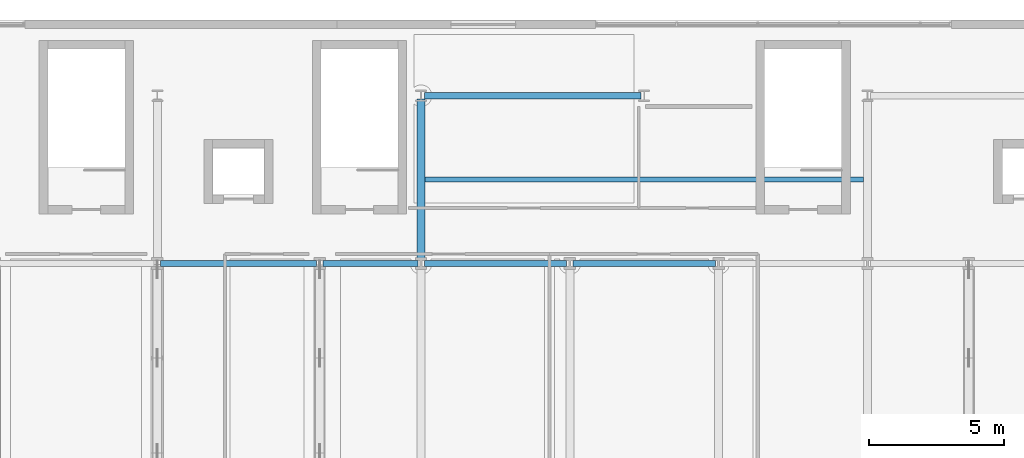
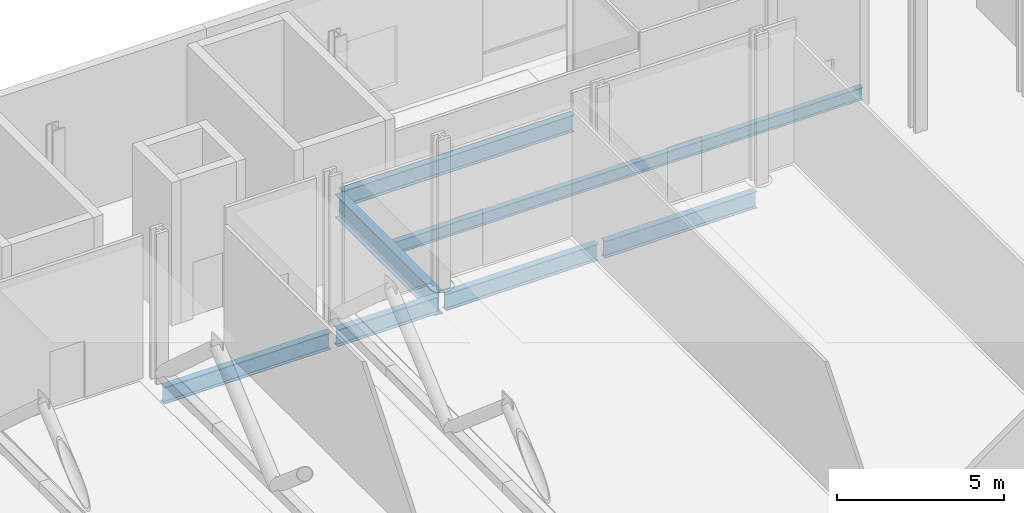
# One storey, part 4 of 17: 7 beams.
"""IFC4 building model written with IfcOpenShell, lengths in metres."""

from ifc_helpers import new_model, si_unit, direction, frame, origin, origin_2d, place, context, subcontext, project, spatial, i_section, extrude, material, material_profile, profile_set, type_object, element, save


model = new_model("IFC4")

# Units and contexts
model_context = context("Model", 3, precision=1e-05, world=origin(), true_north=direction((0.0, 1.0)))
body_context = subcontext(model_context, "Body", "Model", "MODEL_VIEW")
ifc_project = project(units=[si_unit("LENGTHUNIT", "METRE"), si_unit("AREAUNIT", "SQUARE_METRE"), si_unit("VOLUMEUNIT", "CUBIC_METRE"), si_unit("PLANEANGLEUNIT", "RADIAN"), si_unit("MASSUNIT", "GRAM", prefix="KILO")], contexts=[model_context])

# Site, building, storey
site_placement = place(None, origin())
site = spatial("IfcSite", under=ifc_project, at=site_placement, CompositionType="ELEMENT")
building_placement = place(site_placement, origin())
building = spatial("IfcBuilding", under=site, at=building_placement, Name="Brevholm Reach", CompositionType="ELEMENT")
storey_placement = place(building_placement, frame((0.0, 0.0, 22.5)))
storey = spatial("IfcBuildingStorey", under=building, at=storey_placement, Name="L05", CompositionType="ELEMENT", Elevation=22.5)

# Beams
ifc_material_1 = material(Name="Structural Steel S355J2", Category="steel")
ifc_material_profile_1 = material_profile(ifc_material_1, i_section(OverallWidth=0.1904296875, OverallDepth=0.45703125, WebThickness=0.009033203125, FlangeThickness=0.014404296875, FilletRadius=0.01025390625, at=origin_2d()), Name="UKB 457x191x74")
ifc_profile_set_1 = profile_set([ifc_material_profile_1], Name="Structural Steel S355J2")
beam_type_1 = type_object("IfcBeamType", Name="BM-B457", PredefinedType="BEAM", material=ifc_profile_set_1)
beam_1_placement = place(storey_placement, frame((21.89697265625, 34.10009765625, -0.508544921875), z_axis=(1.0, 0.0, 0.0), x_axis=(0.0, 1.0, 0.0)))
element("IfcBeam", 1, at=beam_1_placement, inside=storey, type_object=beam_type_1, Name="L05 Composite Secondary Floor Beam", PredefinedType="BEAM", context=body_context, shape_type="SweptSolid", body=[
    extrude(i_section(OverallWidth=0.1904296875, OverallDepth=0.45703125, WebThickness=0.009033203125, FlangeThickness=0.014404296875, FilletRadius=0.01025390625, at=origin_2d()), origin(), (0.0, 0.0, 1.0), 16.2060546875),
])
ifc_material_2 = material(Name="Structural Steel S355J2", Category="steel")
ifc_material_profile_2 = material_profile(ifc_material_2, i_section(OverallWidth=0.22900390625, OverallDepth=0.6123046875, WebThickness=0.011962890625, FlangeThickness=0.01953125, FilletRadius=0.0126953125, at=origin_2d()), Name="UKB 610x229x125")
ifc_profile_set_2 = profile_set([ifc_material_profile_2], Name="Structural Steel S355J2")
beam_type_2 = type_object("IfcBeamType", Name="BM-SP610", PredefinedType="SPANDREL", material=ifc_profile_set_2)
beam_2_placement = place(storey_placement, frame((12.1201171875, 31.0, -0.586181640625), z_axis=(1.0, 0.0, 0.0), x_axis=(0.0, 1.0, 0.0)))
element("IfcBeam", 2, at=beam_2_placement, inside=storey, type_object=beam_type_2, Name="L05 SP-01 Framing Beam", PredefinedType="SPANDREL", context=body_context, shape_type="SweptSolid", body=[
    extrude(i_section(OverallWidth=0.22900390625, OverallDepth=0.6123046875, WebThickness=0.011962890625, FlangeThickness=0.01953125, FilletRadius=0.0126953125, at=origin_2d()), origin(), (0.0, 0.0, 1.0), 5.759765625),
])
beam_3_placement = place(storey_placement, frame((18.1201171875, 31.0, -0.586181640625), z_axis=(1.0, 0.0, 0.0), x_axis=(0.0, 1.0, 0.0)))
element("IfcBeam", 3, at=beam_3_placement, inside=storey, type_object=beam_type_2, Name="L05 SP-01 Framing Beam", PredefinedType="SPANDREL", context=body_context, shape_type="SweptSolid", body=[
    extrude(i_section(OverallWidth=0.22900390625, OverallDepth=0.6123046875, WebThickness=0.011962890625, FlangeThickness=0.01953125, FilletRadius=0.0126953125, at=origin_2d()), origin(), (0.0, 0.0, 1.0), 3.509765625),
])
for number, where, z_axis, x_axis, name in (
    (4, (21.8701171875, 31.0, -0.586181640625), (1.0, 0.0, 0.0), (0.0, 1.0, 0.0), "L05 SP-01 Framing Beam"),
    (5, (27.3701171875, 31.0, -0.586181640625), (1.0, 0.0, 0.0), (0.0, 1.0, 0.0), "L05 SP-01 Framing Beam"),
):
    element("IfcBeam", number, at=place(storey_placement, frame(where, z_axis=z_axis, x_axis=x_axis)), inside=storey, type_object=beam_type_2, Name=name, PredefinedType="SPANDREL", context=body_context, shape_type="SweptSolid", body=[
        extrude(i_section(OverallWidth=0.22900390625, OverallDepth=0.6123046875, WebThickness=0.011962890625, FlangeThickness=0.01953125, FilletRadius=0.0126953125, at=origin_2d()), origin(), (0.0, 0.0, 1.0), 5.259765625),
    ])
beam_4_placement = place(storey_placement, frame((21.8701171875, 37.199951171875, -0.586181640625), z_axis=(1.0, 0.0, 0.0), x_axis=(0.0, 1.0, 0.0)))
element("IfcBeam", 6, at=beam_4_placement, inside=storey, type_object=beam_type_2, Name="L05 SP-01 Framing Beam", PredefinedType="SPANDREL", context=body_context, shape_type="SweptSolid", body=[
    extrude(i_section(OverallWidth=0.22900390625, OverallDepth=0.6123046875, WebThickness=0.011962890625, FlangeThickness=0.01953125, FilletRadius=0.0126953125, at=origin_2d()), origin(), (0.0, 0.0, 1.0), 8.009765625),
])
ifc_material_3 = material(Name="Structural Steel S355J2", Category="steel")
ifc_material_profile_3 = material_profile(ifc_material_3, i_section(OverallWidth=0.293701171875, OverallDepth=0.850830078125, WebThickness=0.01611328125, FlangeThickness=0.02685546875, FilletRadius=0.017822265625, at=origin_2d()), Name="UKB 838x292x226")
ifc_profile_set_3 = profile_set([ifc_material_profile_3], Name="Structural Steel S355J2")
beam_type_3 = type_object("IfcBeamType", Name="BM-UKB838", PredefinedType="USERDEFINED", material=ifc_profile_set_3)
beam_5_placement = place(storey_placement, frame((21.75, 31.1201171875, -0.70556640625), z_axis=(0.0, 1.0, 0.0), x_axis=(-1.0, 0.0, 0.0)))
element("IfcBeam", 7, at=beam_5_placement, inside=storey, type_object=beam_type_3, Name="L05 G-03 Framing Beam", ObjectType="GIRDER", PredefinedType="USERDEFINED", context=body_context, shape_type="SweptSolid", body=[
    extrude(i_section(OverallWidth=0.293701171875, OverallDepth=0.850830078125, WebThickness=0.01611328125, FlangeThickness=0.02685546875, FilletRadius=0.017822265625, at=origin_2d()), origin(), (0.0, 0.0, 1.0), 5.9599609375),
])

save(model, "model.ifc")
